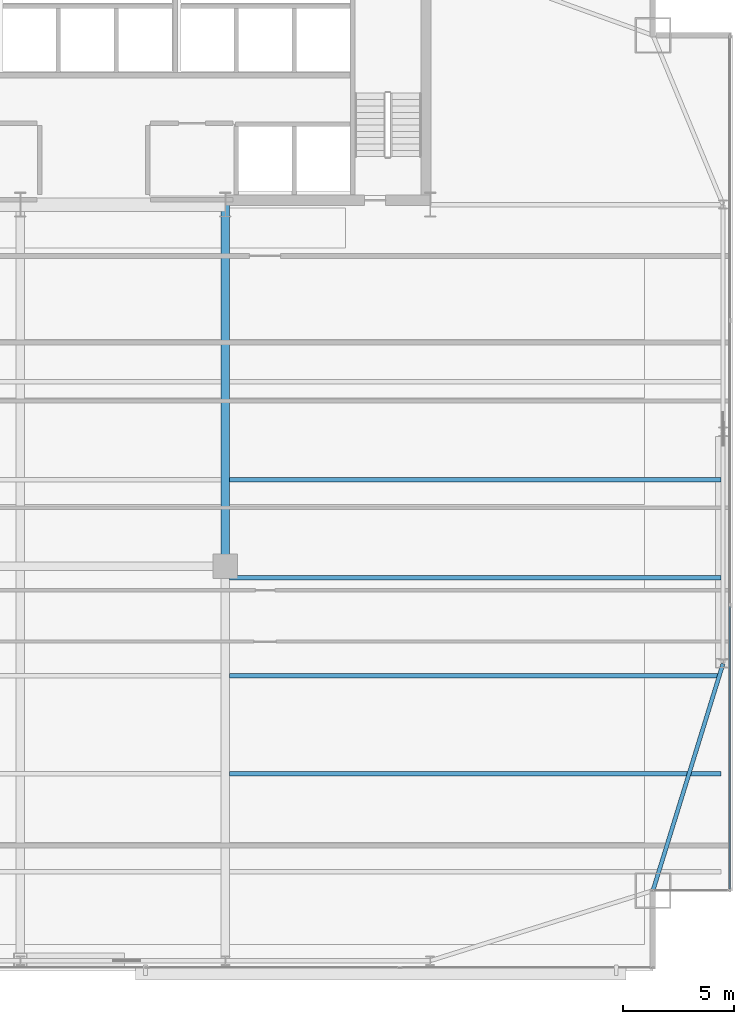
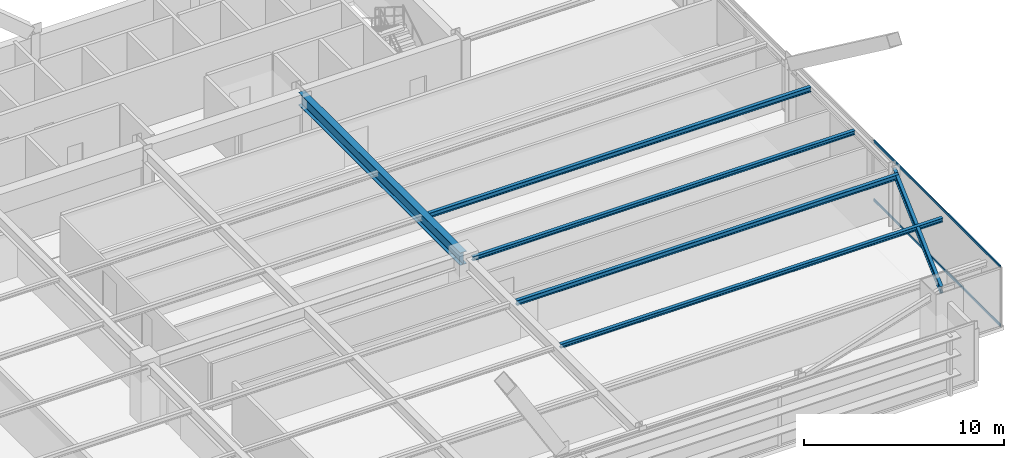
# One storey, part 17 of 35: 6 beams, 2 members, 1 element without a shape of its own.
"""IFC4 building model written with IfcOpenShell, lengths in metres."""

from ifc_helpers import new_model, si_unit, direction, frame, origin, origin_2d, place, context, subcontext, project, spatial, hollow_rectangle, i_section, extrude, source, transform, mapped, material, layer, layer_set, material_profile, profile_set, type_object, type_shapes, element, aggregate, save


model = new_model("IFC4")

# Units and contexts
model_context = context("Model", 3, precision=1e-05, world=origin(), true_north=direction((0.0, 1.0)))
body_context = subcontext(model_context, "Body", "Model", "MODEL_VIEW")
ifc_project = project(units=[si_unit("LENGTHUNIT", "METRE"), si_unit("AREAUNIT", "SQUARE_METRE"), si_unit("VOLUMEUNIT", "CUBIC_METRE"), si_unit("PLANEANGLEUNIT", "RADIAN"), si_unit("MASSUNIT", "GRAM", prefix="KILO")], contexts=[model_context])

# Site, building, storey
site_placement = place(None, origin())
site = spatial("IfcSite", under=ifc_project, at=site_placement, CompositionType="ELEMENT")
building_placement = place(site_placement, origin())
building = spatial("IfcBuilding", under=site, at=building_placement, Name="Varnel Quay Broadcast Tower", CompositionType="ELEMENT")
storey_placement = place(building_placement, frame((0.0, 0.0, 31.5)))
storey = spatial("IfcBuildingStorey", under=building, at=storey_placement, Name="L06", CompositionType="ELEMENT", Elevation=31.5)

# Beams
ifc_material_1 = material(Name="Structural Steel CSA G40.21 350W", Category="steel")
ifc_material_profile_1 = material_profile(ifc_material_1, i_section(OverallWidth=0.180908203125, OverallDepth=0.4169921875, WebThickness=0.010986328125, FlangeThickness=0.018310546875, FilletRadius=0.011962890625, at=origin_2d()), Name="W410X85")
ifc_profile_set_1 = profile_set([ifc_material_profile_1], Name="Structural Steel CSA G40.21 350W")
beam_type_1 = type_object("IfcBeamType", Name="Beam_W410X85", PredefinedType="SPANDREL", material=ifc_profile_set_1)
shared_shape_1 = source(origin(), body_context, "Body", "SweptSolid", [
    extrude(i_section(OverallWidth=0.180908203125, OverallDepth=0.4169921875, WebThickness=0.010986328125, FlangeThickness=0.018310546875, FilletRadius=0.011962890625, at=origin_2d()), origin(), (0.0, 0.0, 1.0), 10.635498046875),
])
type_shapes(beam_type_1, [shared_shape_1])
beam_1_placement = place(storey_placement, frame((62.406005859375, 4.819091796875, 3.44140625), z_axis=(0.295069676324, 0.955475738108, 0.0), x_axis=(-0.955475738108, 0.295069676324, 0.0)))
element("IfcBeam", 1, at=beam_1_placement, inside=storey, type_object=beam_type_1, Name="L06 East Spandrel MC-SE-TC-E1", PredefinedType="SPANDREL", context=body_context, shape_type="MappedRepresentation", body=[
    mapped(shared_shape_1, transform((0.0, 0.0, 0.0), x_axis=(1.0, 0.0, 0.0), y_axis=(0.0, 1.0, 0.0), z_axis=(0.0, 0.0, 1.0), scale=1.0)),
])
ifc_material_profile_2 = material_profile(ifc_material_1, i_section(OverallWidth=0.381103515625, OverallDepth=0.77294921875, WebThickness=0.0166015625, FlangeThickness=0.027587890625, FilletRadius=0.01806640625, at=origin_2d()), Name="W760X257")
ifc_profile_set_2 = profile_set([ifc_material_profile_2], Name="Structural Steel CSA G40.21 350W")
beam_type_2 = type_object("IfcBeamType", Name="Girder_W760X257", PredefinedType="BEAM", material=ifc_profile_set_2)
shared_shape_2 = source(origin(), body_context, "Body", "SweptSolid", [
    extrude(i_section(OverallWidth=0.381103515625, OverallDepth=0.77294921875, WebThickness=0.0166015625, FlangeThickness=0.027587890625, FilletRadius=0.01806640625, at=origin_2d()), origin(), (0.0, 0.0, 1.0), 16.190185546875),
])
type_shapes(beam_type_2, [shared_shape_2])
beam_2_placement = place(storey_placement, frame((43.199951171875, 19.389892578125, 3.263427734375), z_axis=(0.0, 1.0, 0.0), x_axis=(-1.0, 0.0, 0.0)))
element("IfcBeam", 2, at=beam_2_placement, inside=storey, type_object=beam_type_2, Name="L06 Primary Girder IC-02-CC-S4", PredefinedType="BEAM", context=body_context, shape_type="MappedRepresentation", body=[
    mapped(shared_shape_2, transform((0.0, 0.0, 0.0), x_axis=(1.0, 0.0, 0.0), y_axis=(0.0, 1.0, 0.0), z_axis=(0.0, 0.0, 1.0), scale=1.0)),
])
ifc_material_profile_3 = material_profile(ifc_material_1, i_section(OverallWidth=0.202880859375, OverallDepth=0.302978515625, WebThickness=0.007568359375, FlangeThickness=0.01318359375, FilletRadius=0.011962890625, at=origin_2d()), Name="W310X60")
ifc_profile_set_3 = profile_set([ifc_material_profile_3], Name="Structural Steel CSA G40.21 350W")
beam_type_3 = type_object("IfcBeamType", Name="Beam_W310X60", PredefinedType="JOIST", material=ifc_profile_set_3)
shared_shape_3 = source(origin(), body_context, "Body", "SweptSolid", [
    extrude(i_section(OverallWidth=0.202880859375, OverallDepth=0.302978515625, WebThickness=0.007568359375, FlangeThickness=0.01318359375, FilletRadius=0.011962890625, at=origin_2d()), origin(), (0.0, 0.0, 1.0), 22.0791015625),
])
type_shapes(beam_type_3, [shared_shape_3])
for number, where, z_axis, x_axis, name in (
    (3, (43.385498046875, 14.449951171875, 3.49853515625), (1.0, 0.0, 0.0), (0.0, 1.0, 0.0), "L06 East Floor Joist 3"),
    (4, (43.385498046875, 23.25, 3.49853515625), (1.0, 0.0, 0.0), (0.0, 1.0, 0.0), "L06 East Floor Joist 5"),
):
    element("IfcBeam", number, at=place(storey_placement, frame(where, z_axis=z_axis, x_axis=x_axis)), inside=storey, type_object=beam_type_3, Name=name, PredefinedType="JOIST", context=body_context, shape_type="MappedRepresentation", body=[
        mapped(shared_shape_3, transform((0.0, 0.0, 0.0), x_axis=(1.0, 0.0, 0.0), y_axis=(0.0, 1.0, 0.0), z_axis=(0.0, 0.0, 1.0), scale=1.0)),
    ])
ifc_material_profile_4 = material_profile(ifc_material_1, i_section(OverallWidth=0.201904296875, OverallDepth=0.2470703125, WebThickness=0.00732421875, FlangeThickness=0.010986328125, FilletRadius=0.010986328125, at=origin_2d()), Name="W250X49")
ifc_profile_set_4 = profile_set([ifc_material_profile_4], Name="Structural Steel CSA G40.21 350W")
beam_type_4 = type_object("IfcBeamType", Name="Beam_W250X49", PredefinedType="JOIST", material=ifc_profile_set_4)
shared_shape_4 = source(origin(), body_context, "Body", "SweptSolid", [
    extrude(i_section(OverallWidth=0.201904296875, OverallDepth=0.2470703125, WebThickness=0.00732421875, FlangeThickness=0.010986328125, FilletRadius=0.010986328125, at=origin_2d()), origin(), (0.0, 0.0, 1.0), 22.0791015625),
])
type_shapes(beam_type_4, [shared_shape_4])
for number, where, z_axis, x_axis, name in (
    (5, (43.385498046875, 10.050048828125, 3.526611328125), (1.0, 0.0, 0.0), (0.0, 1.0, 0.0), "L06 East Floor Joist 2"),
    (6, (43.385498046875, 18.85009765625, 3.526611328125), (1.0, 0.0, 0.0), (0.0, 1.0, 0.0), "L06 East Floor Joist 4"),
):
    element("IfcBeam", number, at=place(storey_placement, frame(where, z_axis=z_axis, x_axis=x_axis)), inside=storey, type_object=beam_type_4, Name=name, PredefinedType="JOIST", context=body_context, shape_type="MappedRepresentation", body=[
        mapped(shared_shape_4, transform((0.0, 0.0, 0.0), x_axis=(1.0, 0.0, 0.0), y_axis=(0.0, 1.0, 0.0), z_axis=(0.0, 0.0, 1.0), scale=1.0)),
    ])

# Curtain wall, members
ifc_material_2 = material(Name="Anodised Bronze Aluminium 6063-T6", Category="aluminium")
ifc_layer = layer(ifc_material_2, 0.18994140625, Name="Anodised Bronze Aluminium 6063-T6")
ifc_layer_set = layer_set([ifc_layer], Name="Anodised Bronze Aluminium 6063-T6")
curtain_wall_type = type_object("IfcCurtainWallType", Name="CW_LowerTower", PredefinedType="NOTDEFINED", material=ifc_layer_set)
curtain_wall_placement = place(storey_placement, origin())
curtain_wall = element("IfcCurtainWall", 7, at=curtain_wall_placement, inside=storey, type_object=curtain_wall_type, Name="L06 East Unitised Curtain Wall", PredefinedType="NOTDEFINED")
ifc_material_profile_5 = material_profile(ifc_material_2, hollow_rectangle(XDim=0.06005859375, YDim=0.14501953125, WallThickness=0.00341796875, at=origin_2d()), Name="ALU60X145X3.5")
ifc_profile_set_5 = profile_set([ifc_material_profile_5], Name="Anodised Bronze Aluminium 6063-T6")
member_type = type_object("IfcMemberType", Name="Tran_CWS-02", PredefinedType="USERDEFINED", material=ifc_profile_set_5)
shared_shape_5 = source(origin(), body_context, "Body", "SweptSolid", [
    extrude(hollow_rectangle(XDim=0.06005859375, YDim=0.14501953125, WallThickness=0.00341796875, at=origin_2d()), origin(), (0.0, 0.0, 1.0), 12.69482421875),
])
type_shapes(member_type, [shared_shape_5])
member_1_placement = place(storey_placement, frame((65.85009765625, 4.8701171875, 0.030029296875), z_axis=(0.0, 1.0, 0.0), x_axis=(-1.0, 0.0, 0.0)))
member_1 = element("IfcMember", 8, at=member_1_placement, type_object=member_type, Name="CWS-02 transom 1.1", ObjectType="TRANSOM", PredefinedType="USERDEFINED", context=body_context, shape_type="MappedRepresentation", body=[
    mapped(shared_shape_5, transform((0.0, 0.0, 0.0), x_axis=(1.0, 0.0, 0.0), y_axis=(0.0, 1.0, 0.0), z_axis=(0.0, 0.0, 1.0), scale=1.0)),
])
member_2_placement = place(storey_placement, frame((65.85009765625, 4.8701171875, 3.6201171875), z_axis=(0.0, 1.0, 0.0), x_axis=(-1.0, 0.0, 0.0)))
member_2 = element("IfcMember", 9, at=member_2_placement, type_object=member_type, Name="CWS-02 transom 1.2", ObjectType="TRANSOM", PredefinedType="USERDEFINED", context=body_context, shape_type="MappedRepresentation", body=[
    mapped(shared_shape_5, transform((0.0, 0.0, 0.0), x_axis=(1.0, 0.0, 0.0), y_axis=(0.0, 1.0, 0.0), z_axis=(0.0, 0.0, 1.0), scale=1.0)),
])
aggregate(curtain_wall, [member_1, member_2])

save(model, "model.ifc")
